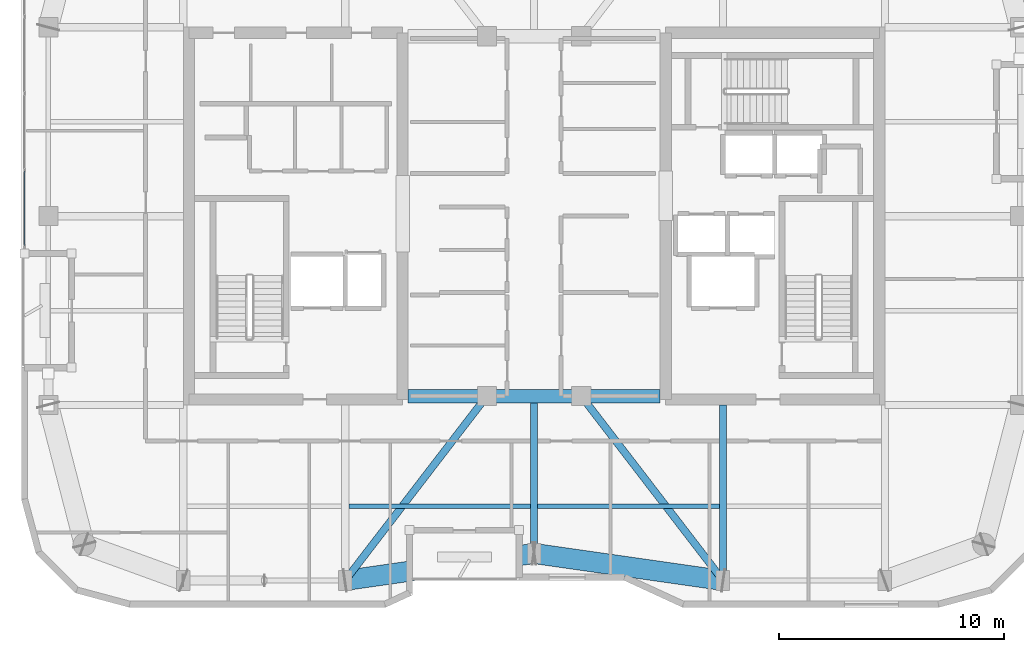
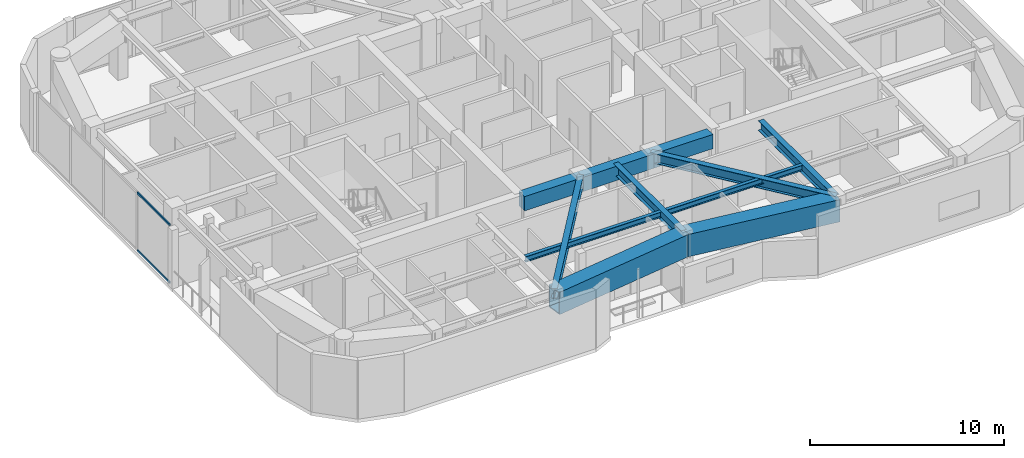
# One storey, part 3 of 16: 11 beams, 2 members, 1 element without a shape of its own.
"""IFC4 building model written with IfcOpenShell, lengths in metres."""

from ifc_helpers import new_model, si_unit, direction, frame, origin, origin_2d, place, context, subcontext, project, spatial, rectangle, hollow_rectangle, i_section, extrude, material, layer, layer_set, material_profile, profile_set, type_object, element, aggregate, save


model = new_model("IFC4")

# Units and contexts
model_context = context("Model", 3, precision=1e-05, world=origin(), true_north=direction((0.0, 1.0)))
body_context = subcontext(model_context, "Body", "Model", "MODEL_VIEW")
ifc_project = project(units=[si_unit("LENGTHUNIT", "METRE"), si_unit("AREAUNIT", "SQUARE_METRE"), si_unit("VOLUMEUNIT", "CUBIC_METRE"), si_unit("PLANEANGLEUNIT", "RADIAN"), si_unit("MASSUNIT", "GRAM", prefix="KILO")], contexts=[model_context])

# Site, building, storey
site_placement = place(None, origin())
site = spatial("IfcSite", under=ifc_project, at=site_placement, CompositionType="ELEMENT")
building_placement = place(site_placement, origin())
building = spatial("IfcBuilding", under=site, at=building_placement, Name="Kiyonajd Concourse Tower", CompositionType="ELEMENT")
storey_placement = place(building_placement, frame((0.0, 0.0, 310.199951171875)))
storey = spatial("IfcBuildingStorey", under=building, at=storey_placement, Name="L78", CompositionType="ELEMENT", Elevation=310.199951171875)

# Beams
ifc_material_1 = material(Name="Concrete C60/75", Category="concrete")
ifc_material_profile_1 = material_profile(ifc_material_1, rectangle(XDim=0.60009765625, YDim=0.89990234375, at=origin_2d()), Name="RCBM-600x900")
ifc_profile_set_1 = profile_set([ifc_material_profile_1], Name="Concrete C60/75")
beam_type_1 = type_object("IfcBeamType", Name="BM-COUP-900", PredefinedType="LINTEL", material=ifc_profile_set_1)
beam_1_placement = place(storey_placement, frame((42.39990234375, 28.0, 3.22998046875), z_axis=(1.0, 0.0, 0.0), x_axis=(0.0, 1.0, 0.0)))
element("IfcBeam", 1, at=beam_1_placement, inside=storey, type_object=beam_type_1, Name="L78 Core Coupling Beam S1", PredefinedType="LINTEL", context=body_context, shape_type="SweptSolid", body=[
    extrude(rectangle(XDim=0.60009765625, YDim=0.89990234375, at=origin_2d()), origin(), (0.0, 0.0, 1.0), 3.5),
])
beam_2_placement = place(storey_placement, frame((45.89990234375, 28.0, 3.22998046875), z_axis=(1.0, 0.0, 0.0), x_axis=(0.0, 1.0, 0.0)))
element("IfcBeam", 2, at=beam_2_placement, inside=storey, type_object=beam_type_1, Name="L78 Core Coupling Beam S2", PredefinedType="LINTEL", context=body_context, shape_type="SweptSolid", body=[
    extrude(rectangle(XDim=0.60009765625, YDim=0.89990234375, at=origin_2d()), origin(), (0.0, 0.0, 1.0), 4.2001953125),
])
beam_3_placement = place(storey_placement, frame((50.10009765625, 28.0, 3.22998046875), z_axis=(1.0, 0.0, 0.0), x_axis=(0.0, 1.0, 0.0)))
element("IfcBeam", 3, at=beam_3_placement, inside=storey, type_object=beam_type_1, Name="L78 Core Coupling Beam S3", PredefinedType="LINTEL", context=body_context, shape_type="SweptSolid", body=[
    extrude(rectangle(XDim=0.60009765625, YDim=0.89990234375, at=origin_2d()), origin(), (0.0, 0.0, 1.0), 3.5),
])
ifc_material_2 = material(Name="Steel ASTM A992 Grade 50", Category="steel")
ifc_material_profile_2 = material_profile(ifc_material_2, i_section(OverallWidth=0.205078125, OverallDepth=0.35400390625, WebThickness=0.009521484375, FlangeThickness=0.016845703125, at=origin_2d()), Name="W360X79")
ifc_profile_set_2 = profile_set([ifc_material_profile_2], Name="Steel ASTM A992 Grade 50")
beam_type_2 = type_object("IfcBeamType", Name="BM-JST-360", PredefinedType="JOIST", material=ifc_profile_set_2)
for number, where, z_axis, x_axis, name in (
    (4, (39.761962890625, 23.10009765625, 3.5029296875), (1.0, 0.0, 0.0), (0.0, 1.0, 0.0), "L78 Secondary Floor Joist"),
    (5, (48.162109375, 23.10009765625, 3.5029296875), (1.0, 0.0, 0.0), (0.0, 1.0, 0.0), "L78 Secondary Floor Joist"),
):
    element("IfcBeam", number, at=place(storey_placement, frame(where, z_axis=z_axis, x_axis=x_axis)), inside=storey, type_object=beam_type_2, Name=name, PredefinedType="JOIST", context=body_context, shape_type="SweptSolid", body=[
        extrude(i_section(OverallWidth=0.205078125, OverallDepth=0.35400390625, WebThickness=0.009521484375, FlangeThickness=0.016845703125, at=origin_2d()), origin(), (0.0, 0.0, 1.0), 8.075927734375),
    ])
ifc_material_profile_3 = material_profile(ifc_material_2, i_section(OverallWidth=0.326904296875, OverallDepth=0.6220703125, WebThickness=0.015380859375, FlangeThickness=0.0244140625, at=origin_2d()), Name="W610X195")
ifc_profile_set_3 = profile_set([ifc_material_profile_3], Name="Steel ASTM A992 Grade 50")
beam_type_3 = type_object("IfcBeamType", Name="BM-TWR-610A", PredefinedType="BEAM", material=ifc_profile_set_3)
for number, where, z_axis, x_axis, name in (
    (6, (39.60009765625, 19.800048828125, 3.369140625), (0.609233709922, 0.792990722956, 0.0), (-0.792990722956, 0.609233709922, 0.0), "L78 Core Tie Girder"),
    (7, (50.10009765625, 28.0, 3.369140625), (0.609233709922, -0.792990722956, 0.0), (0.792990722956, 0.609233709922, 0.0), "L78 Core Tie Girder"),
):
    element("IfcBeam", number, at=place(storey_placement, frame(where, z_axis=z_axis, x_axis=x_axis)), inside=storey, type_object=beam_type_3, Name=name, PredefinedType="BEAM", context=body_context, shape_type="SweptSolid", body=[
        extrude(i_section(OverallWidth=0.326904296875, OverallDepth=0.6220703125, WebThickness=0.015380859375, FlangeThickness=0.0244140625, at=origin_2d()), origin(), (0.0, 0.0, 1.0), 10.340576171875),
    ])
ifc_material_profile_4 = material_profile(ifc_material_2, i_section(OverallWidth=0.323974609375, OverallDepth=0.611083984375, WebThickness=0.0126953125, FlangeThickness=0.01904296875, at=origin_2d()), Name="W610X155")
ifc_profile_set_4 = profile_set([ifc_material_profile_4], Name="Steel ASTM A992 Grade 50")
beam_type_4 = type_object("IfcBeamType", Name="BM-TWR-610B", PredefinedType="BEAM", material=ifc_profile_set_4)
beam_4_placement = place(storey_placement, frame((56.39990234375, 19.800048828125, 3.37451171875), z_axis=(0.0, 1.0, 0.0), x_axis=(-1.0, 0.0, 0.0)))
element("IfcBeam", 8, at=beam_4_placement, inside=storey, type_object=beam_type_4, Name="L78 South Lease Girder", PredefinedType="BEAM", context=body_context, shape_type="SweptSolid", body=[
    extrude(i_section(OverallWidth=0.323974609375, OverallDepth=0.611083984375, WebThickness=0.0126953125, FlangeThickness=0.01904296875, at=origin_2d()), origin(), (0.0, 0.0, 1.0), 7.800048828125),
])
beam_5_placement = place(storey_placement, frame((48.0, 21.0, 3.37451171875), z_axis=(0.0, 1.0, 0.0), x_axis=(-1.0, 0.0, 0.0)))
element("IfcBeam", 9, at=beam_5_placement, inside=storey, type_object=beam_type_4, Name="L78 South Ribbon Girder", PredefinedType="BEAM", context=body_context, shape_type="SweptSolid", body=[
    extrude(i_section(OverallWidth=0.323974609375, OverallDepth=0.611083984375, WebThickness=0.0126953125, FlangeThickness=0.01904296875, at=origin_2d()), origin(), (0.0, 0.0, 1.0), 7.0),
])
ifc_material_3 = material(Name="Steel ASTM A572 Grade 50", Category="steel")
ifc_material_profile_5 = material_profile(ifc_material_3, hollow_rectangle(XDim=0.89990234375, YDim=1.39990234375, WallThickness=0.070068359375, at=origin_2d()), Name="BOX-1400x900x70")
ifc_profile_set_5 = profile_set([ifc_material_profile_5], Name="Steel ASTM A572 Grade 50")
beam_type_5 = type_object("IfcBeamType", Name="BM-XFER-1400", PredefinedType="BEAM", material=ifc_profile_set_5)
for number, where, z_axis, x_axis, name in (
    (10, (39.60009765625, 19.800048828125, 2.97998046875), (0.989950069105, 0.141417328072, 0.0), (-0.141417328072, 0.989950069105, 0.0), "L78 Perimeter Bundled Tube Spandrel"),
    (11, (48.0, 21.0, 2.97998046875), (0.989950069105, -0.141417328072, 0.0), (0.141417328072, 0.989950069105, 0.0), "L78 Perimeter Bundled Tube Spandrel"),
):
    element("IfcBeam", number, at=place(storey_placement, frame(where, z_axis=z_axis, x_axis=x_axis)), inside=storey, type_object=beam_type_5, Name=name, PredefinedType="BEAM", context=body_context, shape_type="SweptSolid", body=[
        extrude(hollow_rectangle(XDim=0.89990234375, YDim=1.39990234375, WallThickness=0.070068359375, at=origin_2d()), origin(), (0.0, 0.0, 1.0), 8.485107421875),
    ])

# Curtain wall, members
ifc_material_4 = material(Name="Thermally Broken Anodised Aluminium", Category="aluminium")
ifc_layer = layer(ifc_material_4, 0.179931640625)
ifc_layer_set = layer_set([ifc_layer], Name="Thermally Broken Anodised Aluminium")
curtain_wall_type = type_object("IfcCurtainWallType", Name="CW-SYS-04", PredefinedType="NOTDEFINED", material=ifc_layer_set)
curtain_wall_placement = place(storey_placement, origin())
curtain_wall = element("IfcCurtainWall", 12, at=curtain_wall_placement, inside=storey, type_object=curtain_wall_type, Name="L78 Unitised Curtain Wall CW4", PredefinedType="NOTDEFINED")
ifc_material_profile_6 = material_profile(ifc_material_4, hollow_rectangle(XDim=0.06494140625, YDim=0.139892578125, WallThickness=0.00390625, at=origin_2d()), Name="TRAN-65x140")
ifc_profile_set_6 = profile_set([ifc_material_profile_6], Name="Thermally Broken Anodised Aluminium")
member_type = type_object("IfcMemberType", Name="MB-CW-TRAN1", PredefinedType="USERDEFINED", material=ifc_profile_set_6)
member_1_placement = place(storey_placement, frame((25.340087890625, 34.695068359375, 0.032470703125), z_axis=(0.0, 1.0, 0.0), x_axis=(-1.0, 0.0, 0.0)))
member_1 = element("IfcMember", 13, at=member_1_placement, type_object=member_type, Name="CW4 transom 1.1", ObjectType="TRANSOM", PredefinedType="USERDEFINED", context=body_context, shape_type="SweptSolid", body=[
    extrude(hollow_rectangle(XDim=0.06494140625, YDim=0.139892578125, WallThickness=0.00390625, at=origin_2d()), origin(), (0.0, 0.0, 1.0), 3.31787109375),
])
member_2_placement = place(storey_placement, frame((25.340087890625, 34.695068359375, 3.6474609375), z_axis=(0.0, 1.0, 0.0), x_axis=(-1.0, 0.0, 0.0)))
member_2 = element("IfcMember", 14, at=member_2_placement, type_object=member_type, Name="CW4 transom 1.2", ObjectType="TRANSOM", PredefinedType="USERDEFINED", context=body_context, shape_type="SweptSolid", body=[
    extrude(hollow_rectangle(XDim=0.06494140625, YDim=0.139892578125, WallThickness=0.00390625, at=origin_2d()), origin(), (0.0, 0.0, 1.0), 3.31787109375),
])
aggregate(curtain_wall, [member_1, member_2])

save(model, "model.ifc")
